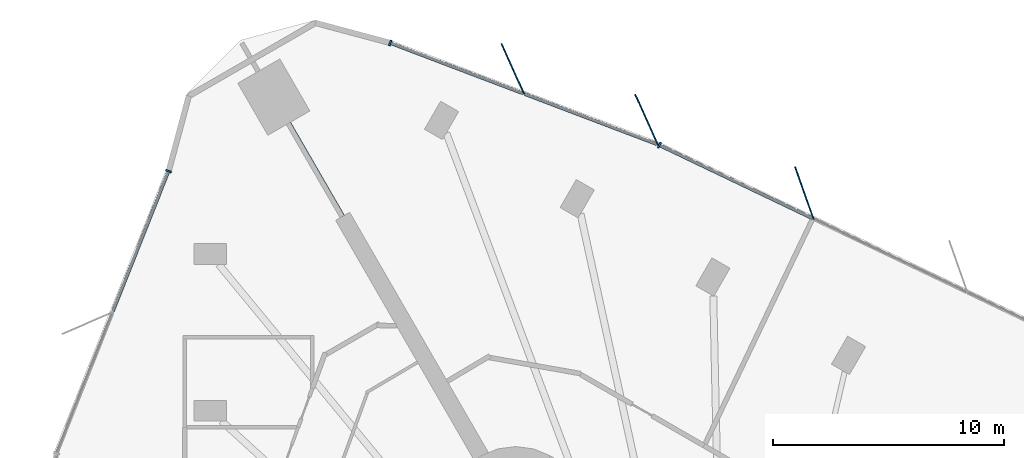
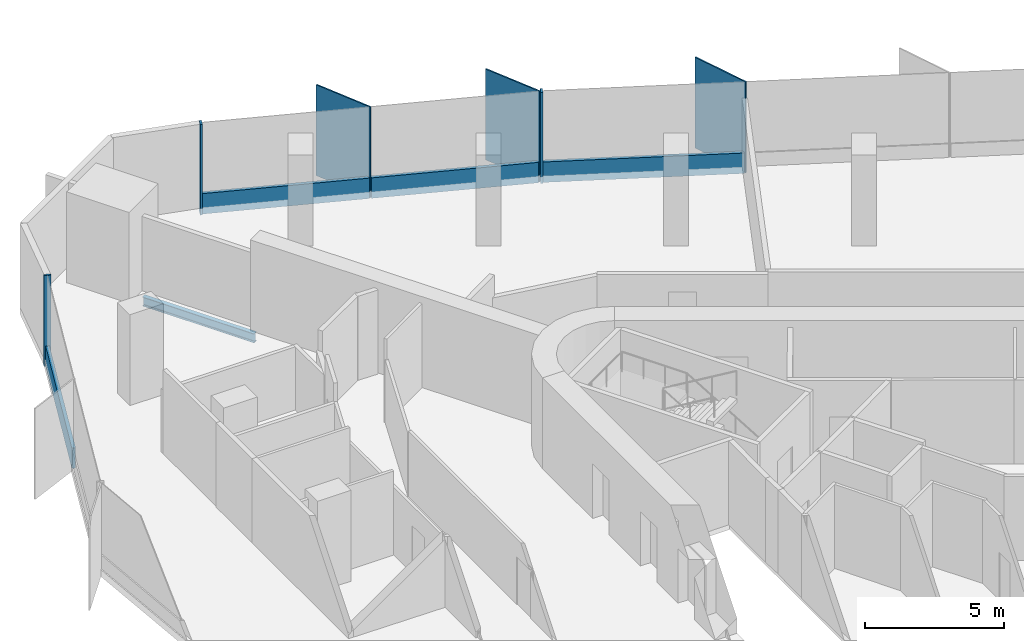
# One storey, part 6 of 13: 10 members, 1 beam, 3 elements without a shape of their own.
"""IFC4 building model written with IfcOpenShell, lengths in metres."""

from ifc_helpers import new_model, si_unit, direction, frame, origin, origin_2d, place, context, subcontext, project, spatial, rectangle, i_section, extrude, material, material_profile, profile_set, type_object, element, aggregate, save


model = new_model("IFC4")

# Units and contexts
model_context = context("Model", 3, precision=1e-05, world=origin(), true_north=direction((0.0, 1.0)))
body_context = subcontext(model_context, "Body", "Model", "MODEL_VIEW")
ifc_project = project(units=[si_unit("LENGTHUNIT", "METRE"), si_unit("AREAUNIT", "SQUARE_METRE"), si_unit("VOLUMEUNIT", "CUBIC_METRE"), si_unit("PLANEANGLEUNIT", "RADIAN"), si_unit("MASSUNIT", "GRAM", prefix="KILO")], contexts=[model_context])

# Site, building, storey
site_placement = place(None, origin())
site = spatial("IfcSite", under=ifc_project, at=site_placement, CompositionType="ELEMENT")
building_placement = place(site_placement, origin())
building = spatial("IfcBuilding", under=site, at=building_placement, Name="Tanit Gate Tower", CompositionType="ELEMENT")
storey_placement = place(building_placement, frame((0.0, 0.0, 201.199951171875)))
storey = spatial("IfcBuildingStorey", under=building, at=storey_placement, Name="L44", CompositionType="ELEMENT", Elevation=201.199951171875)

# Curtain wall, member
ifc_material_1 = material(Name="Aluminium bronze anodised and glass", Category="aluminium")
curtain_wall_type = type_object("IfcCurtainWallType", Name="Curtain wall typical mid", PredefinedType="NOTDEFINED", material=ifc_material_1)
curtain_wall_1_placement = place(storey_placement, origin())
curtain_wall_1 = element("IfcCurtainWall", 1, at=curtain_wall_1_placement, inside=storey, type_object=curtain_wall_type, Name="Curtain wall L44 NE2", PredefinedType="NOTDEFINED")
ifc_material_2 = material(Name="Aluminium bronze anodised", Category="aluminium")
ifc_material_profile_1 = material_profile(ifc_material_2, rectangle(XDim=2.39990234375, YDim=0.055908203125, at=origin_2d()), Name="56x2400 bronze fin mullion")
ifc_profile_set_1 = profile_set([ifc_material_profile_1], Name="Aluminium bronze anodised")
member_type_1 = type_object("IfcMemberType", Name="FIN MULLION 56x2400 bronze", PredefinedType="MULLION", material=ifc_profile_set_1)
member_1_placement = place(storey_placement, frame((3.3798828125, 29.718994140625, -0.300048828125), z_axis=(0.0, 0.0, 1.0), x_axis=(0.333220063881, -0.942849080727, 0.0)))
member_1 = element("IfcMember", 2, at=member_1_placement, type_object=member_type_1, Name="Fin mullion L44 NE2.5", PredefinedType="MULLION", context=body_context, shape_type="SweptSolid", body=[
    extrude(rectangle(XDim=2.39990234375, YDim=0.055908203125, at=origin_2d()), origin(), (0.0, 0.0, 1.0), 4.0),
])

# Curtain wall, members
curtain_wall_2_placement = place(storey_placement, origin())
curtain_wall_2 = element("IfcCurtainWall", 3, at=curtain_wall_2_placement, inside=storey, type_object=curtain_wall_type, Name="Curtain wall L44 NE3", PredefinedType="NOTDEFINED")
member_2_placement = place(storey_placement, frame((-3.442626953125, 32.894775390625, -0.300048828125), z_axis=(0.0, 0.0, 1.0), x_axis=(0.410309884054, -0.911946160169, 0.0)))
member_2 = element("IfcMember", 4, at=member_2_placement, type_object=member_type_1, Name="Fin mullion L44 NE3.1", PredefinedType="MULLION", context=body_context, shape_type="SweptSolid", body=[
    extrude(rectangle(XDim=2.39990234375, YDim=0.055908203125, at=origin_2d()), origin(), (0.0, 0.0, 1.0), 4.0),
])
member_3_placement = place(storey_placement, frame((-9.224609375, 35.08837890625, -0.300048828125), z_axis=(0.0, 0.0, 1.0), x_axis=(0.410309884054, -0.911946160169, 0.0)))
member_3 = element("IfcMember", 5, at=member_3_placement, type_object=member_type_1, Name="Fin mullion L44 NE3.2", PredefinedType="MULLION", context=body_context, shape_type="SweptSolid", body=[
    extrude(rectangle(XDim=2.39990234375, YDim=0.055908203125, at=origin_2d()), origin(), (0.0, 0.0, 1.0), 4.0),
])

# Member
ifc_material_3 = material(Name="Aluminium bronze anodised", Category="aluminium")
ifc_material_profile_2 = material_profile(ifc_material_3, rectangle(XDim=0.260009765625, YDim=0.080078125, at=origin_2d()), Name="80x260 bronze mullion")
ifc_profile_set_2 = profile_set([ifc_material_profile_2], Name="Aluminium bronze anodised")
member_type_2 = type_object("IfcMemberType", Name="Mullion 80x260 typical mid", PredefinedType="MULLION", material=ifc_profile_set_2)
member_4_placement = place(storey_placement, frame((-2.885498046875, 31.78857421875, -0.300048828125), z_axis=(0.0, 0.0, 1.0), x_axis=(-0.431072811819, -0.902317145415, 0.0)))
member_4 = element("IfcMember", 6, at=member_4_placement, type_object=member_type_2, Name="Mullion L44 NE2.6", PredefinedType="MULLION", context=body_context, shape_type="SweptSolid", body=[
    extrude(rectangle(XDim=0.260009765625, YDim=0.080078125, at=origin_2d()), origin(), (0.0, 0.0, 1.0), 4.0),
])

member_5_placement = place(storey_placement, frame((-14.52294921875, 36.20703125, -0.300048828125), z_axis=(0.0, 0.0, 1.0), x_axis=(-0.35471041253, -0.934976215335, 0.0)))
member_5 = element("IfcMember", 7, at=member_5_placement, type_object=member_type_2, Name="Mullion L44 NE3.3", PredefinedType="MULLION", context=body_context, shape_type="SweptSolid", body=[
    extrude(rectangle(XDim=0.260009765625, YDim=0.080078125, at=origin_2d()), origin(), (0.0, 0.0, 1.0), 4.0),
])

# Curtain wall, member
curtain_wall_3_placement = place(storey_placement, origin())
curtain_wall_3 = element("IfcCurtainWall", 8, at=curtain_wall_3_placement, inside=storey, type_object=curtain_wall_type, Name="Curtain wall L44 W1", PredefinedType="NOTDEFINED")
member_6_placement = place(storey_placement, frame((-24.1064453125, 30.67041015625, -0.300048828125), z_axis=(0.0, 0.0, 1.0), x_axis=(0.929554138674, -0.368685642892, 0.0)))
member_6 = element("IfcMember", 9, at=member_6_placement, type_object=member_type_2, Name="Mullion L44 W1.1", PredefinedType="MULLION", context=body_context, shape_type="SweptSolid", body=[
    extrude(rectangle(XDim=0.260009765625, YDim=0.080078125, at=origin_2d()), origin(), (0.0, 0.0, 1.0), 4.0),
])

# Beam
ifc_material_4 = material(Name="Steel S355", Category="steel")
ifc_material_profile_3 = material_profile(ifc_material_4, i_section(OverallWidth=0.179931640625, OverallDepth=0.39990234375, WebThickness=0.008544921875, FlangeThickness=0.013427734375, FilletRadius=0.02099609375, at=origin_2d()), Name="IPE 400")
ifc_profile_set_3 = profile_set([ifc_material_profile_3], Name="Steel S355")
beam_type = type_object("IfcBeamType", Name="RADIAL GIRDER IPE 400 S355", PredefinedType="BEAM", material=ifc_profile_set_3)
beam_placement = place(storey_placement, frame((-18.9033203125, 32.74169921875, -0.5), z_axis=(0.499984536904, -0.866034331223, 0.0), x_axis=(0.866034331223, 0.499984536904, 0.0)))
element("IfcBeam", 10, at=beam_placement, inside=storey, type_object=beam_type, Name="RADIAL GIRDER", PredefinedType="BEAM", context=body_context, shape_type="SweptSolid", body=[
    extrude(i_section(OverallWidth=0.179931640625, OverallDepth=0.39990234375, WebThickness=0.008544921875, FlangeThickness=0.013427734375, FilletRadius=0.02099609375, at=origin_2d()), origin(), (0.0, 0.0, 1.0), 4.650146484375),
])

# Member
ifc_material_5 = material(Name="Aluminium bronze anodised", Category="aluminium")
ifc_material_profile_4 = material_profile(ifc_material_5, rectangle(XDim=0.139892578125, YDim=0.89990234375, at=origin_2d()), Name="140x900 bronze transom")
ifc_profile_set_4 = profile_set([ifc_material_profile_4], Name="Aluminium bronze anodised")
member_type_3 = type_object("IfcMemberType", Name="Transom 140x900 typical mid", PredefinedType="USERDEFINED", material=ifc_profile_set_4)
member_7_placement = place(storey_placement, frame((3.736572265625, 28.625, 0.150146484375), z_axis=(-0.902323765346, 0.431058954775, 0.0), x_axis=(-0.431058954775, -0.902323765346, 0.0)))
member_7 = element("IfcMember", 11, at=member_7_placement, type_object=member_type_3, Name="Transom L44 NE2.5", ObjectType="TRANSOM", PredefinedType="USERDEFINED", context=body_context, shape_type="SweptSolid", body=[
    extrude(rectangle(XDim=0.139892578125, YDim=0.89990234375, at=origin_2d()), origin(), (0.0, 0.0, 1.0), 7.298828125),
])

aggregate(curtain_wall_1, [member_1, member_4, member_7])

member_8_placement = place(storey_placement, frame((-2.996337890625, 31.833984375, 0.150146484375), z_axis=(-0.934967795599, 0.354732605201, 0.0), x_axis=(-0.354732605201, -0.934967795599, 0.0)))
member_8 = element("IfcMember", 12, at=member_8_placement, type_object=member_type_3, Name="Transom L44 NE3.1", ObjectType="TRANSOM", PredefinedType="USERDEFINED", context=body_context, shape_type="SweptSolid", body=[
    extrude(rectangle(XDim=0.139892578125, YDim=0.89990234375, at=origin_2d()), origin(), (0.0, 0.0, 1.0), 6.10400390625),
])

member_9_placement = place(storey_placement, frame((-8.7783203125, 34.027587890625, 0.150146484375), z_axis=(-0.934967795599, 0.354732605201, 0.0), x_axis=(-0.354732605201, -0.934967795599, 0.0)))
member_9 = element("IfcMember", 13, at=member_9_placement, type_object=member_type_3, Name="Transom L44 NE3.2", ObjectType="TRANSOM", PredefinedType="USERDEFINED", context=body_context, shape_type="SweptSolid", body=[
    extrude(rectangle(XDim=0.139892578125, YDim=0.89990234375, at=origin_2d()), origin(), (0.0, 0.0, 1.0), 6.10400390625),
])

aggregate(curtain_wall_2, [member_2, member_3, member_5, member_8, member_9])

member_10_placement = place(storey_placement, frame((-24.12109375, 30.63330078125, 0.150146484375), z_axis=(-0.368695272447, -0.929550319281, 0.0), x_axis=(0.929550319281, -0.368695272447, 0.0)))
member_10 = element("IfcMember", 14, at=member_10_placement, type_object=member_type_3, Name="Transom L44 W1.1", ObjectType="TRANSOM", PredefinedType="USERDEFINED", context=body_context, shape_type="SweptSolid", body=[
    extrude(rectangle(XDim=0.139892578125, YDim=0.89990234375, at=origin_2d()), origin(), (0.0, 0.0, 1.0), 6.484619140625),
])

aggregate(curtain_wall_3, [member_6, member_10])

save(model, "model.ifc")
